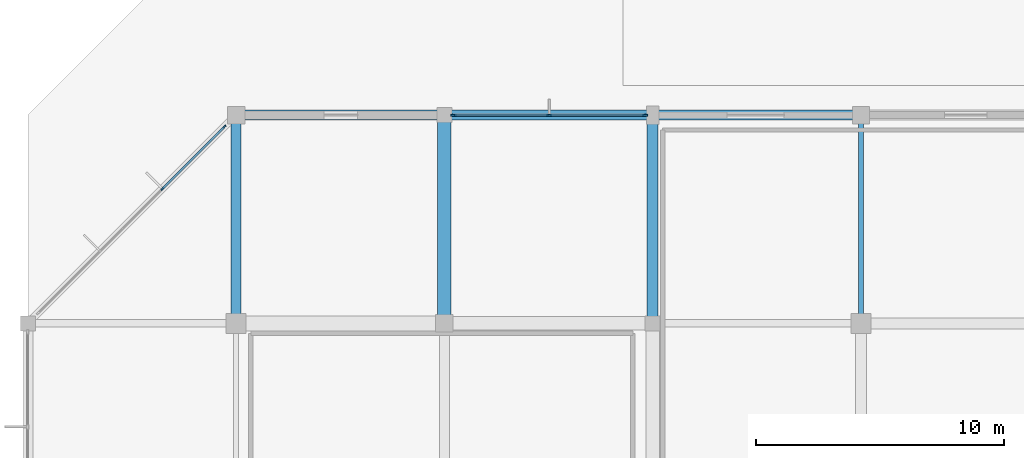
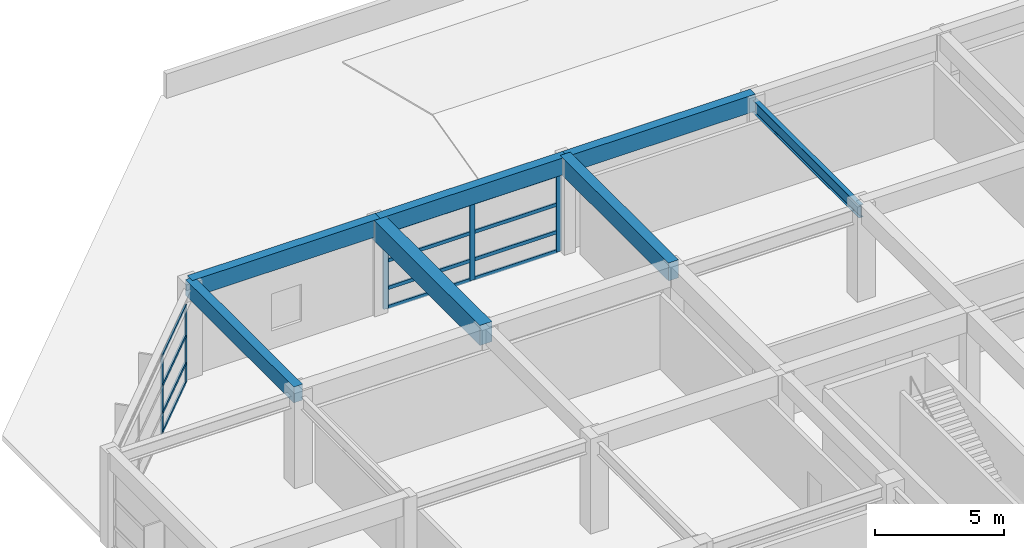
# One storey, part 22 of 60: 17 members, 7 beams, 2 elements without a shape of their own.
"""IFC4 building model written with IfcOpenShell, lengths in metres."""

from ifc_helpers import new_model, si_unit, direction, frame, origin, origin_2d, place, context, subcontext, project, spatial, rectangle, i_section, extrude, material, material_profile, profile_set, type_object, element, aggregate, save


model = new_model("IFC4")

# Units and contexts
model_context = context("Model", 3, precision=1e-05, world=origin(), true_north=direction((0.0, 1.0)))
body_context = subcontext(model_context, "Body", "Model", "MODEL_VIEW")
ifc_project = project(units=[si_unit("LENGTHUNIT", "METRE"), si_unit("AREAUNIT", "SQUARE_METRE"), si_unit("VOLUMEUNIT", "CUBIC_METRE"), si_unit("PLANEANGLEUNIT", "RADIAN"), si_unit("MASSUNIT", "GRAM", prefix="KILO")], contexts=[model_context])

# Site, building, storey
site_placement = place(None, origin())
site = spatial("IfcSite", under=ifc_project, at=site_placement, CompositionType="ELEMENT")
building_placement = place(site_placement, origin())
building = spatial("IfcBuilding", under=site, at=building_placement, Name="Xuanlan Plaza Opera House", CompositionType="ELEMENT")
storey_placement = place(building_placement, frame((0.0, 0.0, 9.89990234375)))
storey = spatial("IfcBuildingStorey", under=building, at=storey_placement, Name="L02", CompositionType="ELEMENT", Elevation=9.89990234375)

# Curtain wall, members
ifc_material_1 = material(Name="Anodised Aluminium 6063-T6 and Low-E Glass", Category="aluminium")
curtain_wall_type_1 = type_object("IfcCurtainWallType", Name="ENV-CW-CW-03", PredefinedType="USERDEFINED", material=ifc_material_1)
curtain_wall_1_placement = place(storey_placement, origin())
curtain_wall_1 = element("IfcCurtainWall", 1, at=curtain_wall_1_placement, inside=storey, type_object=curtain_wall_type_1, Name="Unitised Curtain Wall L02-047", ObjectType="UNITISED CURTAIN WALL", PredefinedType="USERDEFINED")
ifc_material_2 = material(Name="Anodised Aluminium 6063-T6", Category="aluminium")
ifc_material_profile_1 = material_profile(ifc_material_2, rectangle(XDim=0.06494140625, YDim=0.159912109375, at=origin_2d()), Name="ALU-M 65x160")
ifc_profile_set_1 = profile_set([ifc_material_profile_1], Name="Anodised Aluminium 6063-T6")
member_type_1 = type_object("IfcMemberType", Name="ENV-CWM-01", PredefinedType="MULLION", material=ifc_profile_set_1)
member_1_placement = place(storey_placement, frame((7.927978515625, 100.328125, 0.0), z_axis=(0.0, 0.0, 1.0), x_axis=(0.707106781187, -0.707106781187, 0.0)))
member_1 = element("IfcMember", 2, at=member_1_placement, type_object=member_type_1, Name="CW-03 mullion 1", PredefinedType="MULLION", context=body_context, shape_type="SweptSolid", body=[
    extrude(rectangle(XDim=0.06494140625, YDim=0.159912109375, at=origin_2d()), origin(), (0.0, 0.0, 1.0), 3.68017578125),
])
member_2_placement = place(storey_placement, frame((5.43359375, 97.833740234375, 0.0), z_axis=(0.0, 0.0, 1.0), x_axis=(0.707106781187, -0.707106781187, 0.0)))
member_2 = element("IfcMember", 3, at=member_2_placement, type_object=member_type_1, Name="CW-03 mullion 2", PredefinedType="MULLION", context=body_context, shape_type="SweptSolid", body=[
    extrude(rectangle(XDim=0.06494140625, YDim=0.159912109375, at=origin_2d()), origin(), (0.0, 0.0, 1.0), 3.68017578125),
])

curtain_wall_type_2 = type_object("IfcCurtainWallType", Name="ENV-CW-CW-01", PredefinedType="USERDEFINED", material=ifc_material_1)
curtain_wall_2_placement = place(storey_placement, origin())
curtain_wall_2 = element("IfcCurtainWall", 4, at=curtain_wall_2_placement, inside=storey, type_object=curtain_wall_type_2, Name="Unitised Curtain Wall L02-045", ObjectType="UNITISED CURTAIN WALL", PredefinedType="USERDEFINED")
ifc_material_profile_2 = material_profile(ifc_material_2, rectangle(XDim=0.080078125, YDim=0.219970703125, at=origin_2d()), Name="ALU-M 80x220")
ifc_profile_set_2 = profile_set([ifc_material_profile_2], Name="Anodised Aluminium 6063-T6")
member_type_2 = type_object("IfcMemberType", Name="ENV-CWM-04", PredefinedType="MULLION", material=ifc_profile_set_2)
member_3_placement = place(storey_placement, frame((24.889892578125, 100.800048828125, 0.0), z_axis=(0.0, 0.0, 1.0), x_axis=(0.0, -1.0, 0.0)))
member_3 = element("IfcMember", 5, at=member_3_placement, type_object=member_type_2, Name="CW-01 mullion 1", PredefinedType="MULLION", context=body_context, shape_type="SweptSolid", body=[
    extrude(rectangle(XDim=0.080078125, YDim=0.219970703125, at=origin_2d()), origin(), (0.0, 0.0, 1.0), 3.68017578125),
])
member_4_placement = place(storey_placement, frame((21.02490234375, 100.800048828125, 0.0), z_axis=(0.0, 0.0, 1.0), x_axis=(0.0, -1.0, 0.0)))
member_4 = element("IfcMember", 6, at=member_4_placement, type_object=member_type_2, Name="CW-01 mullion 2", PredefinedType="MULLION", context=body_context, shape_type="SweptSolid", body=[
    extrude(rectangle(XDim=0.080078125, YDim=0.219970703125, at=origin_2d()), origin(), (0.0, 0.0, 1.0), 3.68017578125),
])
member_5_placement = place(storey_placement, frame((17.159912109375, 100.800048828125, 0.0), z_axis=(0.0, 0.0, 1.0), x_axis=(0.0, -1.0, 0.0)))
member_5 = element("IfcMember", 7, at=member_5_placement, type_object=member_type_2, Name="CW-01 mullion 3", PredefinedType="MULLION", context=body_context, shape_type="SweptSolid", body=[
    extrude(rectangle(XDim=0.080078125, YDim=0.219970703125, at=origin_2d()), origin(), (0.0, 0.0, 1.0), 3.68017578125),
])

# Member
ifc_material_profile_3 = material_profile(ifc_material_2, rectangle(XDim=0.074951171875, YDim=0.14990234375, at=origin_2d()), Name="ALU-T 75x150")
ifc_profile_set_3 = profile_set([ifc_material_profile_3], Name="Anodised Aluminium 6063-T6")
member_type_3 = type_object("IfcMemberType", Name="ENV-CWT-03", PredefinedType="USERDEFINED", material=ifc_profile_set_3)
member_6_placement = place(storey_placement, frame((7.905029296875, 100.304931640625, 0.03759765625), z_axis=(-0.70714203517, -0.707071525445, 0.0), x_axis=(0.707071525445, -0.70714203517, 0.0)))
member_6 = element("IfcMember", 8, at=member_6_placement, type_object=member_type_3, Name="CW-03 transom 1.1", ObjectType="TRANSOM", PredefinedType="USERDEFINED", context=body_context, shape_type="SweptSolid", body=[
    extrude(rectangle(XDim=0.074951171875, YDim=0.14990234375, at=origin_2d()), origin(), (0.0, 0.0, 1.0), 3.46240234375),
])

member_7_placement = place(storey_placement, frame((7.905029296875, 100.304931640625, 0.9501953125), z_axis=(-0.70714203517, -0.707071525445, 0.0), x_axis=(0.707071525445, -0.70714203517, 0.0)))
member_7 = element("IfcMember", 9, at=member_7_placement, type_object=member_type_3, Name="CW-03 transom 1.2", ObjectType="TRANSOM", PredefinedType="USERDEFINED", context=body_context, shape_type="SweptSolid", body=[
    extrude(rectangle(XDim=0.074951171875, YDim=0.14990234375, at=origin_2d()), origin(), (0.0, 0.0, 1.0), 3.46240234375),
])

member_8_placement = place(storey_placement, frame((7.905029296875, 100.304931640625, 2.25), z_axis=(-0.70714203517, -0.707071525445, 0.0), x_axis=(0.707071525445, -0.70714203517, 0.0)))
member_8 = element("IfcMember", 10, at=member_8_placement, type_object=member_type_3, Name="CW-03 transom 1.3", ObjectType="TRANSOM", PredefinedType="USERDEFINED", context=body_context, shape_type="SweptSolid", body=[
    extrude(rectangle(XDim=0.074951171875, YDim=0.14990234375, at=origin_2d()), origin(), (0.0, 0.0, 1.0), 3.46240234375),
])

member_9_placement = place(storey_placement, frame((7.905029296875, 100.304931640625, 3.642578125), z_axis=(-0.70714203517, -0.707071525445, 0.0), x_axis=(0.707071525445, -0.70714203517, 0.0)))
member_9 = element("IfcMember", 11, at=member_9_placement, type_object=member_type_3, Name="CW-03 transom 1.4", ObjectType="TRANSOM", PredefinedType="USERDEFINED", context=body_context, shape_type="SweptSolid", body=[
    extrude(rectangle(XDim=0.074951171875, YDim=0.14990234375, at=origin_2d()), origin(), (0.0, 0.0, 1.0), 3.46240234375),
])

aggregate(curtain_wall_1, [member_1, member_2, member_6, member_7, member_8, member_9])

ifc_material_profile_4 = material_profile(ifc_material_2, rectangle(XDim=0.080078125, YDim=0.1650390625, at=origin_2d()), Name="ALU-T 80x165")
ifc_profile_set_4 = profile_set([ifc_material_profile_4], Name="Anodised Aluminium 6063-T6")
member_type_4 = type_object("IfcMemberType", Name="ENV-CWT-04", PredefinedType="USERDEFINED", material=ifc_profile_set_4)
member_10_placement = place(storey_placement, frame((24.85009765625, 100.800048828125, 0.0400390625), z_axis=(-1.0, 0.0, 0.0), x_axis=(0.0, -1.0, 0.0)))
member_10 = element("IfcMember", 12, at=member_10_placement, type_object=member_type_4, Name="CW-01 transom 1.1", ObjectType="TRANSOM", PredefinedType="USERDEFINED", context=body_context, shape_type="SweptSolid", body=[
    extrude(rectangle(XDim=0.080078125, YDim=0.1650390625, at=origin_2d()), origin(), (0.0, 0.0, 1.0), 3.78515625),
])

member_11_placement = place(storey_placement, frame((24.85009765625, 100.800048828125, 0.9501953125), z_axis=(-1.0, 0.0, 0.0), x_axis=(0.0, -1.0, 0.0)))
member_11 = element("IfcMember", 13, at=member_11_placement, type_object=member_type_4, Name="CW-01 transom 1.2", ObjectType="TRANSOM", PredefinedType="USERDEFINED", context=body_context, shape_type="SweptSolid", body=[
    extrude(rectangle(XDim=0.080078125, YDim=0.1650390625, at=origin_2d()), origin(), (0.0, 0.0, 1.0), 3.78515625),
])

member_12_placement = place(storey_placement, frame((24.85009765625, 100.800048828125, 2.25), z_axis=(-1.0, 0.0, 0.0), x_axis=(0.0, -1.0, 0.0)))
member_12 = element("IfcMember", 14, at=member_12_placement, type_object=member_type_4, Name="CW-01 transom 1.3", ObjectType="TRANSOM", PredefinedType="USERDEFINED", context=body_context, shape_type="SweptSolid", body=[
    extrude(rectangle(XDim=0.080078125, YDim=0.1650390625, at=origin_2d()), origin(), (0.0, 0.0, 1.0), 3.78515625),
])

member_13_placement = place(storey_placement, frame((24.85009765625, 100.800048828125, 3.64013671875), z_axis=(-1.0, 0.0, 0.0), x_axis=(0.0, -1.0, 0.0)))
member_13 = element("IfcMember", 15, at=member_13_placement, type_object=member_type_4, Name="CW-01 transom 1.4", ObjectType="TRANSOM", PredefinedType="USERDEFINED", context=body_context, shape_type="SweptSolid", body=[
    extrude(rectangle(XDim=0.080078125, YDim=0.1650390625, at=origin_2d()), origin(), (0.0, 0.0, 1.0), 3.78515625),
])

member_14_placement = place(storey_placement, frame((20.985107421875, 100.800048828125, 0.0400390625), z_axis=(-1.0, 0.0, 0.0), x_axis=(0.0, -1.0, 0.0)))
member_14 = element("IfcMember", 16, at=member_14_placement, type_object=member_type_4, Name="CW-01 transom 2.1", ObjectType="TRANSOM", PredefinedType="USERDEFINED", context=body_context, shape_type="SweptSolid", body=[
    extrude(rectangle(XDim=0.080078125, YDim=0.1650390625, at=origin_2d()), origin(), (0.0, 0.0, 1.0), 3.78515625),
])

member_15_placement = place(storey_placement, frame((20.985107421875, 100.800048828125, 0.9501953125), z_axis=(-1.0, 0.0, 0.0), x_axis=(0.0, -1.0, 0.0)))
member_15 = element("IfcMember", 17, at=member_15_placement, type_object=member_type_4, Name="CW-01 transom 2.2", ObjectType="TRANSOM", PredefinedType="USERDEFINED", context=body_context, shape_type="SweptSolid", body=[
    extrude(rectangle(XDim=0.080078125, YDim=0.1650390625, at=origin_2d()), origin(), (0.0, 0.0, 1.0), 3.78515625),
])

member_16_placement = place(storey_placement, frame((20.985107421875, 100.800048828125, 2.25), z_axis=(-1.0, 0.0, 0.0), x_axis=(0.0, -1.0, 0.0)))
member_16 = element("IfcMember", 18, at=member_16_placement, type_object=member_type_4, Name="CW-01 transom 2.3", ObjectType="TRANSOM", PredefinedType="USERDEFINED", context=body_context, shape_type="SweptSolid", body=[
    extrude(rectangle(XDim=0.080078125, YDim=0.1650390625, at=origin_2d()), origin(), (0.0, 0.0, 1.0), 3.78515625),
])

member_17_placement = place(storey_placement, frame((20.985107421875, 100.800048828125, 3.64013671875), z_axis=(-1.0, 0.0, 0.0), x_axis=(0.0, -1.0, 0.0)))
member_17 = element("IfcMember", 19, at=member_17_placement, type_object=member_type_4, Name="CW-01 transom 2.4", ObjectType="TRANSOM", PredefinedType="USERDEFINED", context=body_context, shape_type="SweptSolid", body=[
    extrude(rectangle(XDim=0.080078125, YDim=0.1650390625, at=origin_2d()), origin(), (0.0, 0.0, 1.0), 3.78515625),
])

aggregate(curtain_wall_2, [member_3, member_4, member_5, member_10, member_11, member_12, member_13, member_14, member_15, member_16, member_17])

# Beams
ifc_material_3 = material(Name="Concrete C50", Category="concrete")
ifc_material_profile_5 = material_profile(ifc_material_3, rectangle(XDim=0.550048828125, YDim=0.949951171875, at=origin_2d()), Name="RC-BM 550x950")
ifc_profile_set_5 = profile_set([ifc_material_profile_5], Name="Concrete C50")
beam_type_1 = type_object("IfcBeamType", Name="STR-BM-B-02", PredefinedType="BEAM", material=ifc_profile_set_5)
beam_1_placement = place(storey_placement, frame((16.800048828125, 92.39990234375, 4.025146484375), z_axis=(0.0, 1.0, 0.0), x_axis=(-1.0, 0.0, 0.0)))
element("IfcBeam", 20, at=beam_1_placement, inside=storey, type_object=beam_type_1, Name="Grid Beam Y L02 3/L-M", PredefinedType="BEAM", context=body_context, shape_type="SweptSolid", body=[
    extrude(rectangle(XDim=0.550048828125, YDim=0.949951171875, at=origin_2d()), origin(), (0.0, 0.0, 1.0), 8.400146484375),
])
ifc_material_4 = material(Name="Concrete C40", Category="concrete")
ifc_material_profile_6 = material_profile(ifc_material_4, rectangle(XDim=0.449951171875, YDim=0.85009765625, at=origin_2d()), Name="RC-BM 450x850")
ifc_profile_set_6 = profile_set([ifc_material_profile_6], Name="Concrete C40")
beam_type_2 = type_object("IfcBeamType", Name="STR-BM-B-04", PredefinedType="BEAM", material=ifc_profile_set_6)
beam_2_placement = place(storey_placement, frame((25.199951171875, 92.39990234375, 4.0751953125), z_axis=(0.0, 1.0, 0.0), x_axis=(-1.0, 0.0, 0.0)))
element("IfcBeam", 21, at=beam_2_placement, inside=storey, type_object=beam_type_2, Name="Grid Beam Y L02 4/L-M", PredefinedType="BEAM", context=body_context, shape_type="SweptSolid", body=[
    extrude(rectangle(XDim=0.449951171875, YDim=0.85009765625, at=origin_2d()), origin(), (0.0, 0.0, 1.0), 8.400146484375),
])
ifc_material_profile_7 = material_profile(ifc_material_4, rectangle(XDim=0.39990234375, YDim=0.75, at=origin_2d()), Name="RC-BM 400x750")
ifc_profile_set_7 = profile_set([ifc_material_profile_7], Name="Concrete C40")
beam_type_3 = type_object("IfcBeamType", Name="STR-BM-B-06", PredefinedType="BEAM", material=ifc_profile_set_7)
beam_3_placement = place(storey_placement, frame((8.39990234375, 92.39990234375, 4.125), z_axis=(0.0, 1.0, 0.0), x_axis=(-1.0, 0.0, 0.0)))
element("IfcBeam", 22, at=beam_3_placement, inside=storey, type_object=beam_type_3, Name="Grid Beam Y L02 2/L-M", PredefinedType="BEAM", context=body_context, shape_type="SweptSolid", body=[
    extrude(rectangle(XDim=0.39990234375, YDim=0.75, at=origin_2d()), origin(), (0.0, 0.0, 1.0), 8.400146484375),
])
ifc_material_5 = material(Name="Steel Q355B", Category="steel")
ifc_material_profile_8 = material_profile(ifc_material_5, i_section(OverallWidth=0.199951171875, OverallDepth=0.60009765625, WebThickness=0.010986328125, FlangeThickness=0.01708984375, FilletRadius=0.02197265625, at=origin_2d()), Name="HN 600x200x11x17")
ifc_profile_set_8 = profile_set([ifc_material_profile_8], Name="Steel Q355B")
beam_type_4 = type_object("IfcBeamType", Name="STR-BM-SB-04", PredefinedType="BEAM", material=ifc_profile_set_8)
beam_4_placement = place(storey_placement, frame((33.60009765625, 92.39990234375, 3.93505859375), z_axis=(0.0, 1.0, 0.0), x_axis=(-1.0, 0.0, 0.0)))
element("IfcBeam", 23, at=beam_4_placement, inside=storey, type_object=beam_type_4, Name="Grid Beam Y L02 5/L-M", PredefinedType="BEAM", context=body_context, shape_type="SweptSolid", body=[
    extrude(i_section(OverallWidth=0.199951171875, OverallDepth=0.60009765625, WebThickness=0.010986328125, FlangeThickness=0.01708984375, FilletRadius=0.02197265625, at=origin_2d()), origin(), (0.0, 0.0, 1.0), 8.400146484375),
])
ifc_material_profile_9 = material_profile(ifc_material_4, rectangle(XDim=0.39990234375, YDim=0.800048828125, at=origin_2d()), Name="RC-SPD 400x800")
ifc_profile_set_9 = profile_set([ifc_material_profile_9], Name="Concrete C40")
beam_type_5 = type_object("IfcBeamType", Name="STR-BM-SP-01", PredefinedType="SPANDREL", material=ifc_profile_set_9)
beam_5_placement = place(storey_placement, frame((8.39990234375, 100.800048828125, 4.10009765625), z_axis=(1.0, 0.0, 0.0), x_axis=(0.0, 1.0, 0.0)))
element("IfcBeam", 24, at=beam_5_placement, inside=storey, type_object=beam_type_5, Name="Grid Beam X L02 2-3/M", PredefinedType="SPANDREL", context=body_context, shape_type="SweptSolid", body=[
    extrude(rectangle(XDim=0.39990234375, YDim=0.800048828125, at=origin_2d()), origin(), (0.0, 0.0, 1.0), 8.400146484375),
])
beam_6_placement = place(storey_placement, frame((16.800048828125, 100.800048828125, 4.10009765625), z_axis=(1.0, 0.0, 0.0), x_axis=(0.0, 1.0, 0.0)))
element("IfcBeam", 25, at=beam_6_placement, inside=storey, type_object=beam_type_5, Name="Grid Beam X L02 3-4/M", PredefinedType="SPANDREL", context=body_context, shape_type="SweptSolid", body=[
    extrude(rectangle(XDim=0.39990234375, YDim=0.800048828125, at=origin_2d()), origin(), (0.0, 0.0, 1.0), 8.39990234375),
])
beam_7_placement = place(storey_placement, frame((25.199951171875, 100.800048828125, 4.10009765625), z_axis=(1.0, 0.0, 0.0), x_axis=(0.0, 1.0, 0.0)))
element("IfcBeam", 26, at=beam_7_placement, inside=storey, type_object=beam_type_5, Name="Grid Beam X L02 4-5/M", PredefinedType="SPANDREL", context=body_context, shape_type="SweptSolid", body=[
    extrude(rectangle(XDim=0.39990234375, YDim=0.800048828125, at=origin_2d()), origin(), (0.0, 0.0, 1.0), 8.400146484375),
])

save(model, "model.ifc")
